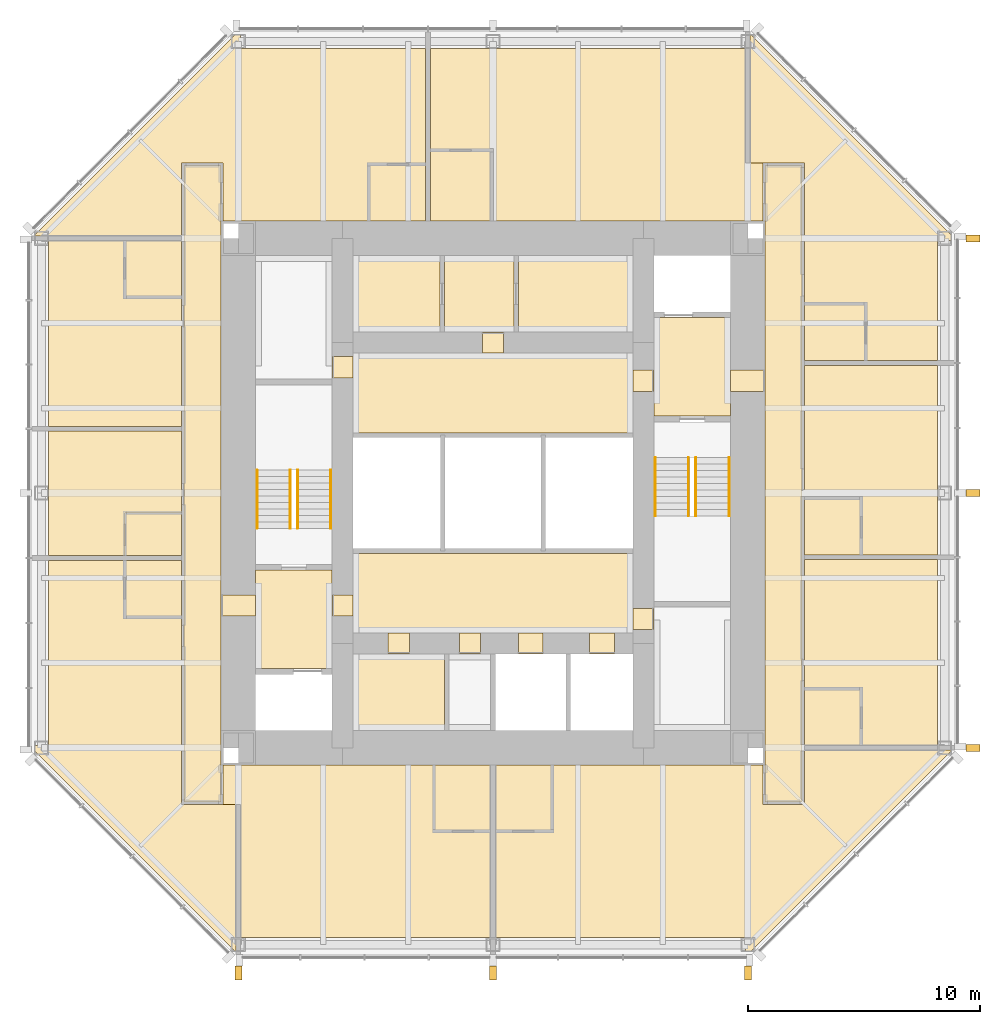
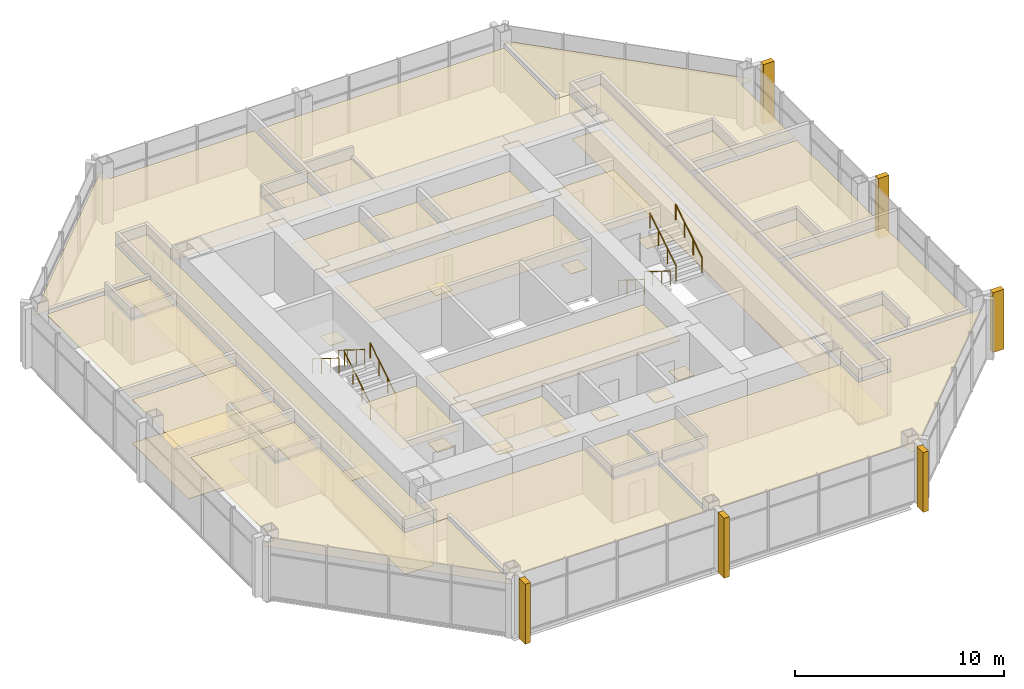
# One storey, part 11 of 11: 50 coverings, 8 railings.
"""IFC4 building model written with IfcOpenShell, lengths in metres."""

from ifc_helpers import new_model, si_unit, direction, frame, origin, origin_2d, place, context, subcontext, project, spatial, polyline, rectangle, circle, outline, extrude, material, layer, layer_set, type_object, element, save


model = new_model("IFC4")

# Units and contexts
model_context = context("Model", 3, precision=1e-05, world=origin(), true_north=direction((0.0, 1.0)))
body_context = subcontext(model_context, "Body", "Model", "MODEL_VIEW")
ifc_project = project(units=[si_unit("LENGTHUNIT", "METRE"), si_unit("AREAUNIT", "SQUARE_METRE"), si_unit("VOLUMEUNIT", "CUBIC_METRE"), si_unit("PLANEANGLEUNIT", "RADIAN"), si_unit("MASSUNIT", "GRAM", prefix="KILO")], contexts=[model_context])

# Site, building, storey
site_placement = place(None, origin())
site = spatial("IfcSite", under=ifc_project, at=site_placement, CompositionType="ELEMENT")
building_placement = place(site_placement, origin())
building = spatial("IfcBuilding", under=site, at=building_placement, Name="Trevanion Tower", CompositionType="ELEMENT")
storey_placement = place(building_placement, frame((0.0, 0.0, 236.199951171875)))
storey = spatial("IfcBuildingStorey", under=building, at=storey_placement, Name="L57", CompositionType="ELEMENT", Elevation=236.199951171875)

# Coverings
ifc_material_1 = material(Name="Fibrous plaster coffers on suspended steel grid", Category="steel")
ifc_layer_1 = layer(ifc_material_1, 0.050048828125)
ifc_layer_set_1 = layer_set([ifc_layer_1], Name="CL1 coffered fibrous plaster ceiling 50")
covering_type_1 = type_object("IfcCoveringType", Name="CL1 coffered fibrous plaster ceiling 50", PredefinedType="CEILING", material=ifc_layer_set_1)
covering_1_placement = place(storey_placement, frame((0.0, 0.0, 2.429931640625)))
element("IfcCovering", 1, at=covering_1_placement, inside=storey, type_object=covering_type_1, Name="CL1 L57-LBS", PredefinedType="CEILING", context=body_context, shape_type="SweptSolid", body=[
    extrude(outline(polyline([(6.050048828125, -6.050048828125), (6.050048828125, -2.60009765625), (-6.050048828125, -2.60009765625), (-6.050048828125, -6.050048828125), (6.050048828125, -6.050048828125)])), origin(), (0.0, 0.0, 1.0), 0.050048828125),
])
ifc_material_2 = material(Name="Mineral fibre acoustic tiles in exposed grid", Category="mineral fibre")
ifc_layer_2 = layer(ifc_material_2, 0.02001953125)
ifc_layer_set_2 = layer_set([ifc_layer_2], Name="CL2 acoustic tile ceiling 20")
covering_type_2 = type_object("IfcCoveringType", Name="CL2 acoustic tile ceiling 20", PredefinedType="CEILING", material=ifc_layer_set_2)
covering_2_placement = place(storey_placement, frame((0.0, 0.0, 2.4599609375)))
element("IfcCovering", 2, at=covering_2_placement, inside=storey, type_object=covering_type_2, Name="CL2 L57-LBN", PredefinedType="CEILING", context=body_context, shape_type="SweptSolid", body=[
    extrude(outline(polyline([(6.050048828125, 2.60009765625), (6.050048828125, 6.050048828125), (-6.050048828125, 6.050048828125), (-6.050048828125, 2.60009765625), (6.050048828125, 2.60009765625)])), origin(), (0.0, 0.0, 1.0), 0.02001953125),
])
covering_3_placement = place(storey_placement, frame((0.0, 0.0, 2.4599609375)))
element("IfcCovering", 3, at=covering_3_placement, inside=storey, type_object=covering_type_2, Name="CL2 L57-HKC", PredefinedType="CEILING", context=body_context, shape_type="SweptSolid", body=[
    extrude(outline(polyline([(0.89990234375, 6.949951171875), (0.89990234375, 10.25), (-2.10009765625, 10.25), (-2.10009765625, 6.949951171875), (0.89990234375, 6.949951171875)])), origin(), (0.0, 0.0, 1.0), 0.02001953125),
])
covering_4_placement = place(storey_placement, frame((0.0, 0.0, 2.633056640625)))
element("IfcCovering", 4, at=covering_4_placement, inside=storey, type_object=covering_type_2, Name="CL2 L57-CO1", PredefinedType="CEILING", context=body_context, shape_type="SweptSolid", body=[
    extrude(outline(polyline([(-11.75, 14.14990234375), (-11.75, -13.35009765625), (-13.35009765625, -13.35009765625), (-13.35009765625, 14.14990234375), (-11.75, 14.14990234375)])), origin(), (0.0, 0.0, 1.0), 0.02001953125),
])
covering_5_placement = place(storey_placement, frame((0.0, 0.0, 2.633056640625)))
element("IfcCovering", 5, at=covering_5_placement, inside=storey, type_object=covering_type_2, Name="CL2 L57-CO2", PredefinedType="CEILING", context=body_context, shape_type="SweptSolid", body=[
    extrude(outline(polyline([(11.75, -13.35009765625), (11.75, 14.14990234375), (13.35009765625, 14.14990234375), (13.35009765625, -13.35009765625), (11.75, -13.35009765625)])), origin(), (0.0, 0.0, 1.0), 0.02001953125),
])
ifc_material_3 = material(Name="Gypsum plasterboard on suspended metal furring", Category="gypsum")
ifc_layer_3 = layer(ifc_material_3, 0.012939453125)
ifc_layer_set_3 = layer_set([ifc_layer_3], Name="CL3 plasterboard ceiling 13")
covering_type_3 = type_object("IfcCoveringType", Name="CL3 plasterboard ceiling 13", PredefinedType="CEILING", material=ifc_layer_set_3)
covering_6_placement = place(storey_placement, frame((0.0, 0.0, 2.699951171875)))
element("IfcCovering", 6, at=covering_6_placement, inside=storey, type_object=covering_type_3, Name="CL3 L57-FV1", PredefinedType="CEILING", context=body_context, shape_type="SweptSolid", body=[
    extrude(outline(polyline([(10.25, 3.324951171875), (10.25, 7.574951171875), (6.949951171875, 7.574951171875), (6.949951171875, 3.324951171875), (10.25, 3.324951171875)])), origin(), (0.0, 0.0, 1.0), 0.01318359375),
])
covering_7_placement = place(storey_placement, frame((0.0, 0.0, 2.699951171875)))
element("IfcCovering", 7, at=covering_7_placement, inside=storey, type_object=covering_type_3, Name="CL3 L57-FV2", PredefinedType="CEILING", context=body_context, shape_type="SweptSolid", body=[
    extrude(outline(polyline([(-10.25, -3.324951171875), (-10.25, -7.574951171875), (-6.949951171875, -7.574951171875), (-6.949951171875, -3.324951171875), (-10.25, -3.324951171875)])), origin(), (0.0, 0.0, 1.0), 0.01318359375),
])
covering_8_placement = place(storey_placement, frame((0.0, 0.0, 2.551025390625)))
element("IfcCovering", 8, at=covering_8_placement, inside=storey, type_object=covering_type_3, Name="CL3 L57-GJ", PredefinedType="CEILING", context=body_context, shape_type="SweptSolid", body=[
    extrude(outline(polyline([(13.449951171875, -2.875), (19.199951171875, -2.875), (19.199951171875, -10.89990234375), (15.89990234375, -10.89990234375), (15.89990234375, -8.449951171875), (13.449951171875, -8.449951171875), (13.449951171875, -2.875)])), origin(), (0.0, 0.0, 1.0), 0.012939453125),
])
covering_9_placement = place(storey_placement, frame((0.0, 0.0, 2.551025390625)))
element("IfcCovering", 9, at=covering_9_placement, inside=storey, type_object=covering_type_3, Name="CL3 L57-GJ2", PredefinedType="CEILING", context=body_context, shape_type="SweptSolid", body=[
    extrude(outline(polyline([(13.449951171875, 5.513916015625), (19.199951171875, 5.513916015625), (19.199951171875, -2.675048828125), (15.89990234375, -2.675048828125), (15.89990234375, -0.22509765625), (13.449951171875, -0.22509765625), (13.449951171875, 5.513916015625)])), origin(), (0.0, 0.0, 1.0), 0.012939453125),
])
covering_10_placement = place(storey_placement, frame((0.0, 0.0, 2.551025390625)))
element("IfcCovering", 10, at=covering_10_placement, inside=storey, type_object=covering_type_3, Name="CL3 L57-GA", PredefinedType="CEILING", context=body_context, shape_type="SweptSolid", body=[
    extrude(outline(polyline([(11.10009765625, 14.25), (11.10009765625, 19.800048828125), (11.124267578125, 19.800048828125), (19.800048828125, 11.124267578125), (19.800048828125, 10.89990234375), (19.199951171875, 10.89990234375), (19.199951171875, 5.714111328125), (16.10009765625, 5.714111328125), (16.10009765625, 8.1640625), (13.449951171875, 8.1640625), (13.449951171875, 14.25), (11.10009765625, 14.25)])), origin(), (0.0, 0.0, 1.0), 0.012939453125),
])
covering_11_placement = place(storey_placement, frame((0.0, 0.0, 2.551025390625)))
element("IfcCovering", 11, at=covering_11_placement, inside=storey, type_object=covering_type_3, Name="CL3 L57-GY", PredefinedType="CEILING", context=body_context, shape_type="SweptSolid", body=[
    extrude(outline(polyline([(-2.70703125, 19.199951171875), (10.89990234375, 19.199951171875), (10.89990234375, 14.25), (11.64990234375, 14.25), (11.64990234375, 11.75), (-0.056884765625, 11.75), (-0.056884765625, 14.800048828125), (-2.70703125, 14.800048828125), (-2.70703125, 19.199951171875)])), origin(), (0.0, 0.0, 1.0), 0.012939453125),
])
covering_12_placement = place(storey_placement, frame((0.0, 0.0, 2.551025390625)))
element("IfcCovering", 12, at=covering_12_placement, inside=storey, type_object=covering_type_3, Name="CL3 L57-GJ3", PredefinedType="CEILING", context=body_context, shape_type="SweptSolid", body=[
    extrude(outline(polyline([(-13.449951171875, 11.10009765625), (-19.800048828125, 11.10009765625), (-19.800048828125, 11.124267578125), (-11.124267578125, 19.800048828125), (-10.89990234375, 19.800048828125), (-10.89990234375, 19.199951171875), (-2.906982421875, 19.199951171875), (-2.906982421875, 14.199951171875), (-5.35693359375, 14.199951171875), (-5.35693359375, 11.75), (-11.64990234375, 11.75), (-11.64990234375, 14.25), (-13.449951171875, 14.25), (-13.449951171875, 11.10009765625)])), origin(), (0.0, 0.0, 1.0), 0.012939453125),
])
covering_13_placement = place(storey_placement, frame((0.0, 0.0, 2.551025390625)))
element("IfcCovering", 13, at=covering_13_placement, inside=storey, type_object=covering_type_3, Name="CL3 L57-GJ4", PredefinedType="CEILING", context=body_context, shape_type="SweptSolid", body=[
    extrude(outline(polyline([(-13.449951171875, 2.875), (-19.199951171875, 2.875), (-19.199951171875, 10.89990234375), (-15.89990234375, 10.89990234375), (-15.89990234375, 8.449951171875), (-13.449951171875, 8.449951171875), (-13.449951171875, 2.875)])), origin(), (0.0, 0.0, 1.0), 0.012939453125),
])
covering_14_placement = place(storey_placement, frame((0.0, 0.0, 2.551025390625)))
element("IfcCovering", 14, at=covering_14_placement, inside=storey, type_object=covering_type_3, Name="CL3 L57-GR", PredefinedType="CEILING", context=body_context, shape_type="SweptSolid", body=[
    extrude(outline(polyline([(-13.449951171875, -0.85693359375), (-15.89990234375, -0.85693359375), (-15.89990234375, -2.70703125), (-19.199951171875, -2.70703125), (-19.199951171875, 2.675048828125), (-13.449951171875, 2.675048828125), (-13.449951171875, -0.85693359375)])), origin(), (0.0, 0.0, 1.0), 0.012939453125),
])
covering_15_placement = place(storey_placement, frame((0.0, 0.0, 2.551025390625)))
element("IfcCovering", 15, at=covering_15_placement, inside=storey, type_object=covering_type_3, Name="CL3 L57-GJ5", PredefinedType="CEILING", context=body_context, shape_type="SweptSolid", body=[
    extrude(outline(polyline([(-11.10009765625, -13.449951171875), (-11.10009765625, -19.800048828125), (-11.124267578125, -19.800048828125), (-19.800048828125, -11.124267578125), (-19.800048828125, -10.89990234375), (-19.199951171875, -10.89990234375), (-19.199951171875, -2.906982421875), (-15.89990234375, -2.906982421875), (-15.89990234375, -5.35693359375), (-13.449951171875, -5.35693359375), (-13.449951171875, -13.449951171875), (-11.10009765625, -13.449951171875)])), origin(), (0.0, 0.0, 1.0), 0.012939453125),
])
covering_16_placement = place(storey_placement, frame((0.0, 0.0, 2.551025390625)))
element("IfcCovering", 16, at=covering_16_placement, inside=storey, type_object=covering_type_3, Name="CL3 L57-GB", PredefinedType="CEILING", context=body_context, shape_type="SweptSolid", body=[
    extrude(outline(polyline([(-0.10009765625, -19.199951171875), (-10.89990234375, -19.199951171875), (-10.89990234375, -13.449951171875), (-11.64990234375, -13.449951171875), (-11.64990234375, -11.75), (-2.550048828125, -11.75), (-2.550048828125, -14.60009765625), (-0.10009765625, -14.60009765625), (-0.10009765625, -19.199951171875)])), origin(), (0.0, 0.0, 1.0), 0.012939453125),
])
covering_17_placement = place(storey_placement, frame((0.0, 0.0, 2.551025390625)))
element("IfcCovering", 17, at=covering_17_placement, inside=storey, type_object=covering_type_3, Name="CL3 L57-GB2", PredefinedType="CEILING", context=body_context, shape_type="SweptSolid", body=[
    extrude(outline(polyline([(13.449951171875, -11.10009765625), (19.800048828125, -11.10009765625), (19.800048828125, -11.124267578125), (11.124267578125, -19.800048828125), (10.89990234375, -19.800048828125), (10.89990234375, -19.199951171875), (0.10009765625, -19.199951171875), (0.10009765625, -14.60009765625), (2.550048828125, -14.60009765625), (2.550048828125, -11.75), (11.64990234375, -11.75), (11.64990234375, -13.449951171875), (13.449951171875, -13.449951171875), (13.449951171875, -11.10009765625)])), origin(), (0.0, 0.0, 1.0), 0.012939453125),
])
ifc_material_4 = material(Name="Moisture-resistant gypsum board on suspended metal furring", Category="gypsum")
ifc_layer_4 = layer(ifc_material_4, 0.01611328125)
ifc_layer_set_4 = layer_set([ifc_layer_4], Name="CL4 moisture-resistant board ceiling 16")
covering_type_4 = type_object("IfcCoveringType", Name="CL4 moisture-resistant board ceiling 16", PredefinedType="CEILING", material=ifc_layer_set_4)
covering_18_placement = place(storey_placement, frame((0.0, 0.0, 2.60009765625)))
element("IfcCovering", 18, at=covering_18_placement, inside=storey, type_object=covering_type_4, Name="CL4 L57-SI1", PredefinedType="CEILING", context=body_context, shape_type="SweptSolid", body=[
    extrude(outline(polyline([(-2.10009765625, -10.25), (-2.10009765625, -6.949951171875), (-6.050048828125, -6.949951171875), (-6.050048828125, -10.25), (-2.10009765625, -10.25)])), origin(), (0.0, 0.0, 1.0), 0.015869140625),
])
covering_19_placement = place(storey_placement, frame((0.0, 0.0, 2.464111328125)))
element("IfcCovering", 19, at=covering_19_placement, inside=storey, type_object=covering_type_4, Name="CL4 L57-HK", PredefinedType="CEILING", context=body_context, shape_type="SweptSolid", body=[
    extrude(outline(polyline([(-2.300048828125, 6.949951171875), (-2.300048828125, 10.25), (-6.050048828125, 10.25), (-6.050048828125, 6.949951171875), (-2.300048828125, 6.949951171875)])), origin(), (0.0, 0.0, 1.0), 0.015869140625),
])
covering_20_placement = place(storey_placement, frame((0.0, 0.0, 2.464111328125)))
element("IfcCovering", 20, at=covering_20_placement, inside=storey, type_object=covering_type_4, Name="CL4 L57-HKL", PredefinedType="CEILING", context=body_context, shape_type="SweptSolid", body=[
    extrude(outline(polyline([(6.050048828125, 6.949951171875), (6.050048828125, 10.25), (1.10009765625, 10.25), (1.10009765625, 6.949951171875), (6.050048828125, 6.949951171875)])), origin(), (0.0, 0.0, 1.0), 0.015869140625),
])
covering_21_placement = place(storey_placement, frame((0.0, 0.0, 2.60009765625)))
element("IfcCovering", 21, at=covering_21_placement, inside=storey, type_object=covering_type_4, Name="CL4 L57-EN", PredefinedType="CEILING", context=body_context, shape_type="SweptSolid", body=[
    extrude(outline(polyline([(15.85009765625, -10.89990234375), (15.85009765625, -8.5), (13.449951171875, -8.5), (13.449951171875, -10.89990234375), (15.85009765625, -10.89990234375)])), origin(), (0.0, 0.0, 1.0), 0.015869140625),
])
covering_22_placement = place(storey_placement, frame((0.0, 0.0, 2.60009765625)))
element("IfcCovering", 22, at=covering_22_placement, inside=storey, type_object=covering_type_4, Name="CL4 L57-EN2", PredefinedType="CEILING", context=body_context, shape_type="SweptSolid", body=[
    extrude(outline(polyline([(15.85009765625, -2.675048828125), (15.85009765625, -0.27490234375), (13.449951171875, -0.27490234375), (13.449951171875, -2.675048828125), (15.85009765625, -2.675048828125)])), origin(), (0.0, 0.0, 1.0), 0.015869140625),
])
covering_23_placement = place(storey_placement, frame((0.0, 0.0, 2.60009765625)))
element("IfcCovering", 23, at=covering_23_placement, inside=storey, type_object=covering_type_4, Name="CL4 L57-EN3", PredefinedType="CEILING", context=body_context, shape_type="SweptSolid", body=[
    extrude(outline(polyline([(16.050048828125, 5.714111328125), (16.050048828125, 8.114013671875), (13.449951171875, 8.114013671875), (13.449951171875, 5.714111328125), (16.050048828125, 5.714111328125)])), origin(), (0.0, 0.0, 1.0), 0.015869140625),
])
covering_24_placement = place(storey_placement, frame((0.0, 0.0, 2.60009765625)))
element("IfcCovering", 24, at=covering_24_placement, inside=storey, type_object=covering_type_4, Name="CL4 L57-EN4", PredefinedType="CEILING", context=body_context, shape_type="SweptSolid", body=[
    extrude(outline(polyline([(-0.10693359375, 14.75), (-2.70703125, 14.75), (-2.70703125, 11.75), (-0.10693359375, 11.75), (-0.10693359375, 14.75)])), origin(), (0.0, 0.0, 1.0), 0.015869140625),
])
covering_25_placement = place(storey_placement, frame((0.0, 0.0, 2.60009765625)))
element("IfcCovering", 25, at=covering_25_placement, inside=storey, type_object=covering_type_4, Name="CL4 L57-EN5", PredefinedType="CEILING", context=body_context, shape_type="SweptSolid", body=[
    extrude(outline(polyline([(-2.906982421875, 14.14990234375), (-5.306884765625, 14.14990234375), (-5.306884765625, 11.75), (-2.906982421875, 11.75), (-2.906982421875, 14.14990234375)])), origin(), (0.0, 0.0, 1.0), 0.015869140625),
])
covering_26_placement = place(storey_placement, frame((0.0, 0.0, 2.60009765625)))
element("IfcCovering", 26, at=covering_26_placement, inside=storey, type_object=covering_type_4, Name="CL4 L57-EN6", PredefinedType="CEILING", context=body_context, shape_type="SweptSolid", body=[
    extrude(outline(polyline([(-15.85009765625, 10.89990234375), (-15.85009765625, 8.5), (-13.449951171875, 8.5), (-13.449951171875, 10.89990234375), (-15.85009765625, 10.89990234375)])), origin(), (0.0, 0.0, 1.0), 0.015869140625),
])
covering_27_placement = place(storey_placement, frame((0.0, 0.0, 2.60009765625)))
element("IfcCovering", 27, at=covering_27_placement, inside=storey, type_object=covering_type_4, Name="CL4 L57-EN7", PredefinedType="CEILING", context=body_context, shape_type="SweptSolid", body=[
    extrude(outline(polyline([(-15.85009765625, -0.906982421875), (-15.85009765625, -2.70703125), (-13.449951171875, -2.70703125), (-13.449951171875, -0.906982421875), (-15.85009765625, -0.906982421875)])), origin(), (0.0, 0.0, 1.0), 0.015869140625),
])
covering_28_placement = place(storey_placement, frame((0.0, 0.0, 2.60009765625)))
element("IfcCovering", 28, at=covering_28_placement, inside=storey, type_object=covering_type_4, Name="CL4 L57-EN8", PredefinedType="CEILING", context=body_context, shape_type="SweptSolid", body=[
    extrude(outline(polyline([(-15.85009765625, -2.906982421875), (-15.85009765625, -5.306884765625), (-13.449951171875, -5.306884765625), (-13.449951171875, -2.906982421875), (-15.85009765625, -2.906982421875)])), origin(), (0.0, 0.0, 1.0), 0.015869140625),
])
covering_29_placement = place(storey_placement, frame((0.0, 0.0, 2.60009765625)))
element("IfcCovering", 29, at=covering_29_placement, inside=storey, type_object=covering_type_4, Name="CL4 L57-EN9", PredefinedType="CEILING", context=body_context, shape_type="SweptSolid", body=[
    extrude(outline(polyline([(-2.5, -14.550048828125), (-0.10009765625, -14.550048828125), (-0.10009765625, -11.75), (-2.5, -11.75), (-2.5, -14.550048828125)])), origin(), (0.0, 0.0, 1.0), 0.015869140625),
])
covering_30_placement = place(storey_placement, frame((0.0, 0.0, 2.60009765625)))
element("IfcCovering", 30, at=covering_30_placement, inside=storey, type_object=covering_type_4, Name="CL4 L57-EN10", PredefinedType="CEILING", context=body_context, shape_type="SweptSolid", body=[
    extrude(outline(polyline([(0.10009765625, -14.550048828125), (2.5, -14.550048828125), (2.5, -11.75), (0.10009765625, -11.75), (0.10009765625, -14.550048828125)])), origin(), (0.0, 0.0, 1.0), 0.015869140625),
])
ifc_material_5 = material(Name="Cast bronze fin on aluminium carrier", Category="aluminium")
covering_type_5 = type_object("IfcCoveringType", Name="F1 bronze fin", PredefinedType="CLADDING", material=ifc_material_5)
for number, where, z_axis, x_axis, name in (
    (31, (20.72509765625, -11.0, -0.18994140625), (0.0, 0.0, 1.0), (0.0, 1.0, 0.0), "F1 L57 east -11.0"),
    (32, (20.72509765625, 0.0, -0.18994140625), (0.0, 0.0, 1.0), (0.0, 1.0, 0.0), "F1 L57 east +0.0"),
    (33, (20.72509765625, 11.0, -0.18994140625), (0.0, 0.0, 1.0), (0.0, 1.0, 0.0), "F1 L57 east +11.0"),
    (34, (-11.0, -20.72509765625, -0.18994140625), (0.0, 0.0, 1.0), (1.0, 0.0, 0.0), "F1 L57 south -11.0"),
    (35, (0.0, -20.72509765625, -0.18994140625), (0.0, 0.0, 1.0), (1.0, 0.0, 0.0), "F1 L57 south +0.0"),
    (36, (11.0, -20.72509765625, -0.18994140625), (0.0, 0.0, 1.0), (1.0, 0.0, 0.0), "F1 L57 south +11.0"),
):
    element("IfcCovering", number, at=place(storey_placement, frame(where, z_axis=z_axis, x_axis=x_axis)), inside=storey, type_object=covering_type_5, Name=name, PredefinedType="CLADDING", context=body_context, shape_type="SweptSolid", body=[
        extrude(rectangle(XDim=0.300048828125, YDim=0.60009765625, at=origin_2d()), origin(), (0.0, 0.0, 1.0), 3.5),
    ])
ifc_material_6 = material(Name="Terrazzo, brass divider strips", Category="stone")
ifc_layer_5 = layer(ifc_material_6, 0.02001953125)
ifc_layer_set_5 = layer_set([ifc_layer_5], Name="FF1 terrazzo flooring")
covering_type_6 = type_object("IfcCoveringType", Name="FF1 terrazzo flooring", PredefinedType="FLOORING", material=ifc_layer_set_5)
covering_31_placement = place(storey_placement, origin())
element("IfcCovering", 37, at=covering_31_placement, inside=storey, type_object=covering_type_6, Name="FF1 threshold 57-001", PredefinedType="FLOORING", context=body_context, shape_type="SweptSolid", body=[
    extrude(outline(polyline([(11.75, 4.392578125), (11.75, 5.3076171875), (10.25, 5.3076171875), (10.25, 4.392578125), (11.75, 4.392578125)])), origin(), (0.0, 0.0, 1.0), 0.02001953125),
])
covering_32_placement = place(storey_placement, origin())
element("IfcCovering", 38, at=covering_32_placement, inside=storey, type_object=covering_type_6, Name="FF1 threshold 57-002", PredefinedType="FLOORING", context=body_context, shape_type="SweptSolid", body=[
    extrude(outline(polyline([(-11.75, -4.392578125), (-11.75, -5.3076171875), (-10.25, -5.3076171875), (-10.25, -4.392578125), (-11.75, -4.392578125)])), origin(), (0.0, 0.0, 1.0), 0.02001953125),
])
covering_33_placement = place(storey_placement, origin())
element("IfcCovering", 39, at=covering_33_placement, inside=storey, type_object=covering_type_6, Name="FF1 threshold 57-003", PredefinedType="FLOORING", context=body_context, shape_type="SweptSolid", body=[
    extrude(outline(polyline([(6.949951171875, 4.392578125), (6.949951171875, 5.3076171875), (6.050048828125, 5.3076171875), (6.050048828125, 4.392578125), (6.949951171875, 4.392578125)])), origin(), (0.0, 0.0, 1.0), 0.02001953125),
])
covering_34_placement = place(storey_placement, origin())
element("IfcCovering", 40, at=covering_34_placement, inside=storey, type_object=covering_type_6, Name="FF1 threshold 57-004", PredefinedType="FLOORING", context=body_context, shape_type="SweptSolid", body=[
    extrude(outline(polyline([(-6.949951171875, -4.392578125), (-6.949951171875, -5.3076171875), (-6.050048828125, -5.3076171875), (-6.050048828125, -4.392578125), (-6.949951171875, -4.392578125)])), origin(), (0.0, 0.0, 1.0), 0.02001953125),
])
covering_35_placement = place(storey_placement, origin())
element("IfcCovering", 41, at=covering_35_placement, inside=storey, type_object=covering_type_6, Name="FF1 threshold 57-009", PredefinedType="FLOORING", context=body_context, shape_type="SweptSolid", body=[
    extrude(outline(polyline([(6.949951171875, -5.889892578125), (6.949951171875, -4.97509765625), (6.050048828125, -4.97509765625), (6.050048828125, -5.889892578125), (6.949951171875, -5.889892578125)])), origin(), (0.0, 0.0, 1.0), 0.02001953125),
])
covering_36_placement = place(storey_placement, origin())
element("IfcCovering", 42, at=covering_36_placement, inside=storey, type_object=covering_type_6, Name="FF1 threshold 57-010", PredefinedType="FLOORING", context=body_context, shape_type="SweptSolid", body=[
    extrude(outline(polyline([(-6.949951171875, 5.889892578125), (-6.949951171875, 4.97509765625), (-6.050048828125, 4.97509765625), (-6.050048828125, 5.889892578125), (-6.949951171875, 5.889892578125)])), origin(), (0.0, 0.0, 1.0), 0.02001953125),
])
covering_37_placement = place(storey_placement, origin())
element("IfcCovering", 43, at=covering_37_placement, inside=storey, type_object=covering_type_6, Name="FF1 threshold 57-011", PredefinedType="FLOORING", context=body_context, shape_type="SweptSolid", body=[
    extrude(outline(polyline([(1.091552734375, -6.949951171875), (2.158447265625, -6.949951171875), (2.158447265625, -6.050048828125), (1.091552734375, -6.050048828125), (1.091552734375, -6.949951171875)])), origin(), (0.0, 0.0, 1.0), 0.02001953125),
])
covering_38_placement = place(storey_placement, origin())
element("IfcCovering", 44, at=covering_38_placement, inside=storey, type_object=covering_type_6, Name="FF1 threshold 57-012", PredefinedType="FLOORING", context=body_context, shape_type="SweptSolid", body=[
    extrude(outline(polyline([(4.16650390625, -6.949951171875), (5.2333984375, -6.949951171875), (5.2333984375, -6.050048828125), (4.16650390625, -6.050048828125), (4.16650390625, -6.949951171875)])), origin(), (0.0, 0.0, 1.0), 0.02001953125),
])
covering_39_placement = place(storey_placement, origin())
element("IfcCovering", 45, at=covering_39_placement, inside=storey, type_object=covering_type_6, Name="FF1 threshold 57-013", PredefinedType="FLOORING", context=body_context, shape_type="SweptSolid", body=[
    extrude(outline(polyline([(-4.532470703125, -6.949951171875), (-3.617431640625, -6.949951171875), (-3.617431640625, -6.050048828125), (-4.532470703125, -6.050048828125), (-4.532470703125, -6.949951171875)])), origin(), (0.0, 0.0, 1.0), 0.02001953125),
])
covering_40_placement = place(storey_placement, origin())
element("IfcCovering", 46, at=covering_40_placement, inside=storey, type_object=covering_type_6, Name="FF1 threshold 57-014", PredefinedType="FLOORING", context=body_context, shape_type="SweptSolid", body=[
    extrude(outline(polyline([(-1.45751953125, -6.949951171875), (-0.54248046875, -6.949951171875), (-0.54248046875, -6.050048828125), (-1.45751953125, -6.050048828125), (-1.45751953125, -6.949951171875)])), origin(), (0.0, 0.0, 1.0), 0.02001953125),
])
covering_41_placement = place(storey_placement, origin())
element("IfcCovering", 47, at=covering_41_placement, inside=storey, type_object=covering_type_6, Name="FF1 threshold 57-015", PredefinedType="FLOORING", context=body_context, shape_type="SweptSolid", body=[
    extrude(outline(polyline([(0.45751953125, 6.949951171875), (-0.45751953125, 6.949951171875), (-0.45751953125, 6.050048828125), (0.45751953125, 6.050048828125), (0.45751953125, 6.949951171875)])), origin(), (0.0, 0.0, 1.0), 0.02001953125),
])
ifc_material_7 = material(Name="Wool carpet on underlay", Category="textile")
ifc_layer_6 = layer(ifc_material_7, 0.011962890625)
ifc_layer_set_6 = layer_set([ifc_layer_6], Name="FF2 carpet flooring")
covering_type_7 = type_object("IfcCoveringType", Name="FF2 carpet flooring", PredefinedType="FLOORING", material=ifc_layer_set_6)
covering_42_placement = place(storey_placement, origin())
element("IfcCovering", 48, at=covering_42_placement, inside=storey, type_object=covering_type_7, Name="FF2 L57-CO1", PredefinedType="FLOORING", context=body_context, shape_type="SweptSolid", body=[
    extrude(outline(polyline([(-11.75, 14.14990234375), (-11.75, -13.35009765625), (-13.35009765625, -13.35009765625), (-13.35009765625, 14.14990234375), (-11.75, 14.14990234375)])), origin(), (0.0, 0.0, 1.0), 0.011962890625),
])
covering_43_placement = place(storey_placement, origin())
element("IfcCovering", 49, at=covering_43_placement, inside=storey, type_object=covering_type_7, Name="FF2 L57-CO2", PredefinedType="FLOORING", context=body_context, shape_type="SweptSolid", body=[
    extrude(outline(polyline([(11.75, -13.35009765625), (11.75, 14.14990234375), (13.35009765625, 14.14990234375), (13.35009765625, -13.35009765625), (11.75, -13.35009765625)])), origin(), (0.0, 0.0, 1.0), 0.011962890625),
])
covering_44_placement = place(storey_placement, origin())
element("IfcCovering", 50, at=covering_44_placement, inside=storey, type_object=covering_type_7, Name="FF2 L57-GR", PredefinedType="FLOORING", context=body_context, shape_type="SweptSolid", body=[
    extrude(outline(polyline([(-13.449951171875, -0.85693359375), (-15.89990234375, -0.85693359375), (-15.89990234375, -2.70703125), (-19.199951171875, -2.70703125), (-19.199951171875, 2.675048828125), (-13.449951171875, 2.675048828125), (-13.449951171875, -0.85693359375)])), origin(), (0.0, 0.0, 1.0), 0.011962890625),
])

# Railings
ifc_material_8 = material(Name="Stainless steel tube 40 mm", Category="steel")
railing_type = type_object("IfcRailingType", Name="HR1 handrail", PredefinedType="HANDRAIL", material=ifc_material_8)
for number, where, name in (
    (51, (7.010009765625, 1.52490234375, 0.175048828125), "HR1 ST1 L57 flight 1"),
    (52, (8.43994140625, 1.52490234375, 0.175048828125), "HR1 ST1 L57 flight 1"),
):
    element("IfcRailing", number, at=place(storey_placement, frame(where)), inside=storey, type_object=railing_type, Name=name, PredefinedType="HANDRAIL", context=body_context, shape_type="SweptSolid", body=[
        extrude(circle(Radius=0.02001953125, at=origin_2d()), frame((0.0, 0.0, 0.8798828125), z_axis=(0.0, -0.848007534815, 0.529984170421), x_axis=(1.0, 0.0, 0.0)), (0.0, 0.0, 1.0), 2.9716796875),
        extrude(circle(Radius=0.01513671875, at=origin_2d()), origin(), (0.0, 0.0, 1.0), 0.85986328125),
        extrude(circle(Radius=0.01513671875, at=origin_2d()), frame((0.0, -0.840087890625, 0.52490234375)), (0.0, 0.0, 1.0), 0.85986328125),
        extrude(circle(Radius=0.01513671875, at=origin_2d()), frame((0.0, -1.679931640625, 1.050048828125)), (0.0, 0.0, 1.0), 0.85986328125),
        extrude(circle(Radius=0.01513671875, at=origin_2d()), frame((0.0, -2.52001953125, 1.574951171875)), (0.0, 0.0, 1.0), 0.85986328125),
    ])
for number, where, name in (
    (53, (8.760009765625, -0.9951171875, 1.925048828125), "HR1 ST1 L57 flight 2"),
    (54, (10.18994140625, -0.9951171875, 1.925048828125), "HR1 ST1 L57 flight 2"),
    (55, (-7.010009765625, -1.52490234375, 0.175048828125), "HR1 ST2 L57 flight 1"),
    (56, (-8.43994140625, -1.52490234375, 0.175048828125), "HR1 ST2 L57 flight 1"),
):
    element("IfcRailing", number, at=place(storey_placement, frame(where)), inside=storey, type_object=railing_type, Name=name, PredefinedType="HANDRAIL", context=body_context, shape_type="SweptSolid", body=[
        extrude(circle(Radius=0.02001953125, at=origin_2d()), frame((0.0, 0.0, 0.8798828125), z_axis=(0.0, 0.848007534815, 0.529984170421), x_axis=(-1.0, 0.0, 0.0)), (0.0, 0.0, 1.0), 2.9716796875),
        extrude(circle(Radius=0.01513671875, at=origin_2d()), origin(), (0.0, 0.0, 1.0), 0.85986328125),
        extrude(circle(Radius=0.01513671875, at=origin_2d()), frame((0.0, 0.840087890625, 0.52490234375)), (0.0, 0.0, 1.0), 0.85986328125),
        extrude(circle(Radius=0.01513671875, at=origin_2d()), frame((0.0, 1.679931640625, 1.050048828125)), (0.0, 0.0, 1.0), 0.85986328125),
        extrude(circle(Radius=0.01513671875, at=origin_2d()), frame((0.0, 2.52001953125, 1.574951171875)), (0.0, 0.0, 1.0), 0.85986328125),
    ])
for number, where, name in (
    (57, (-8.760009765625, 0.9951171875, 1.925048828125), "HR1 ST2 L57 flight 2"),
    (58, (-10.18994140625, 0.9951171875, 1.925048828125), "HR1 ST2 L57 flight 2"),
):
    element("IfcRailing", number, at=place(storey_placement, frame(where)), inside=storey, type_object=railing_type, Name=name, PredefinedType="HANDRAIL", context=body_context, shape_type="SweptSolid", body=[
        extrude(circle(Radius=0.02001953125, at=origin_2d()), frame((0.0, 0.0, 0.8798828125), z_axis=(0.0, -0.848007534815, 0.529984170421), x_axis=(1.0, 0.0, 0.0)), (0.0, 0.0, 1.0), 2.9716796875),
        extrude(circle(Radius=0.01513671875, at=origin_2d()), origin(), (0.0, 0.0, 1.0), 0.85986328125),
        extrude(circle(Radius=0.01513671875, at=origin_2d()), frame((0.0, -0.840087890625, 0.52490234375)), (0.0, 0.0, 1.0), 0.85986328125),
        extrude(circle(Radius=0.01513671875, at=origin_2d()), frame((0.0, -1.679931640625, 1.050048828125)), (0.0, 0.0, 1.0), 0.85986328125),
        extrude(circle(Radius=0.01513671875, at=origin_2d()), frame((0.0, -2.52001953125, 1.574951171875)), (0.0, 0.0, 1.0), 0.85986328125),
    ])

save(model, "model.ifc")
